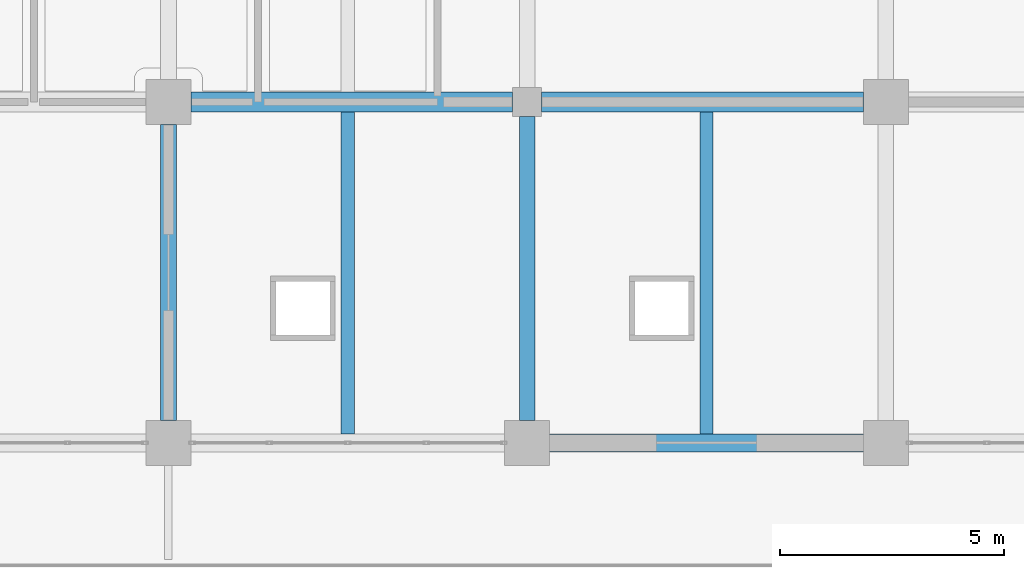
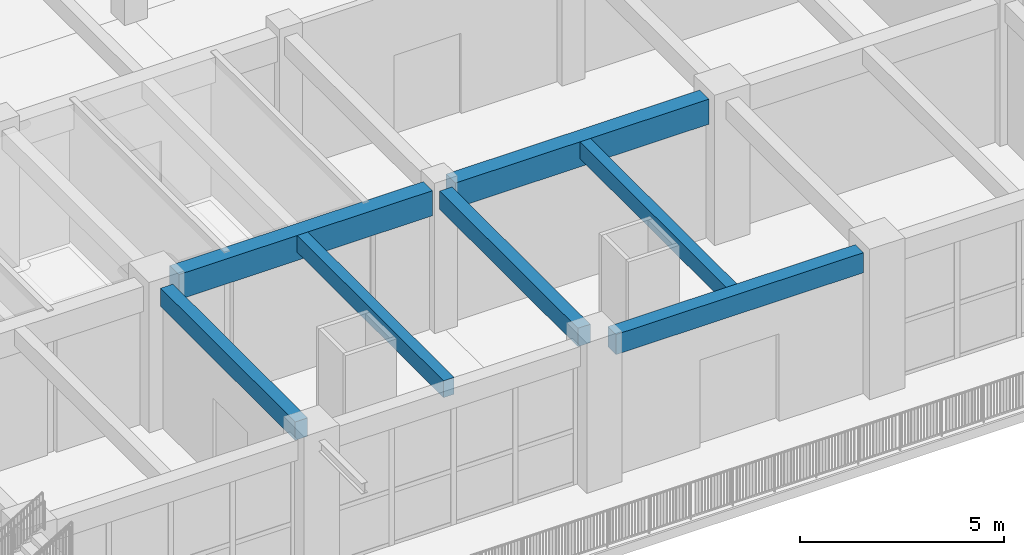
# One storey, part 23 of 79: 7 beams.
"""IFC4 building model written with IfcOpenShell, lengths in metres."""

from ifc_helpers import new_model, si_unit, direction, frame, origin, origin_2d, place, context, subcontext, project, spatial, rectangle, extrude, material, material_profile, profile_set, type_object, element, save


model = new_model("IFC4")

# Units and contexts
model_context = context("Model", 3, precision=1e-05, world=origin(), true_north=direction((0.0, 1.0)))
body_context = subcontext(model_context, "Body", "Model", "MODEL_VIEW")
ifc_project = project(units=[si_unit("LENGTHUNIT", "METRE"), si_unit("AREAUNIT", "SQUARE_METRE"), si_unit("VOLUMEUNIT", "CUBIC_METRE"), si_unit("PLANEANGLEUNIT", "RADIAN"), si_unit("MASSUNIT", "GRAM", prefix="KILO")], contexts=[model_context])

# Site, building, storey
site_placement = place(None, origin())
site = spatial("IfcSite", under=ifc_project, at=site_placement, CompositionType="ELEMENT")
building_placement = place(site_placement, origin())
building = spatial("IfcBuilding", under=site, at=building_placement, Name="Zantavel Square City Hall", CompositionType="ELEMENT")
storey_placement = place(building_placement, frame((0.0, 0.0, 10.199951171875)))
storey = spatial("IfcBuildingStorey", under=building, at=storey_placement, Name="L03", CompositionType="ELEMENT", Elevation=10.199951171875)

# Beams
ifc_material = material(Name="Concrete C35/45", Category="concrete")
ifc_material_profile_1 = material_profile(ifc_material, rectangle(XDim=0.300048828125, YDim=0.5, at=origin_2d()), Name="RC 300x500")
ifc_profile_set_1 = profile_set([ifc_material_profile_1], Name="Concrete C35/45")
beam_type_1 = type_object("IfcBeamType", Name="Floor Joist RC 300x500 C35/45", PredefinedType="JOIST", material=ifc_profile_set_1)
for number, where, z_axis, x_axis, name in (
    (1, (76.0, 30.60009765625, 3.969970703125), (0.0, 1.0, 0.0), (-1.0, 0.0, 0.0), "L03 Floor Joist JST-L03-0760-0304"),
    (2, (84.0, 30.60009765625, 3.969970703125), (0.0, 1.0, 0.0), (-1.0, 0.0, 0.0), "L03 Floor Joist JST-L03-0840-0304"),
):
    element("IfcBeam", number, at=place(storey_placement, frame(where, z_axis=z_axis, x_axis=x_axis)), inside=storey, type_object=beam_type_1, Name=name, PredefinedType="JOIST", context=body_context, shape_type="SweptSolid", body=[
        extrude(rectangle(XDim=0.300048828125, YDim=0.5, at=origin_2d()), origin(), (0.0, 0.0, 1.0), 7.1748046875),
    ])
ifc_material_profile_2 = material_profile(ifc_material, rectangle(XDim=0.39990234375, YDim=0.60009765625, at=origin_2d()), Name="RC 400x600")
ifc_profile_set_2 = profile_set([ifc_material_profile_2], Name="Concrete C35/45")
beam_type_2 = type_object("IfcBeamType", Name="Perimeter Spandrel RC 400x600 C35/45", PredefinedType="SPANDREL", material=ifc_profile_set_2)
beam_1_placement = place(storey_placement, frame((80.5, 30.39990234375, 3.920166015625), z_axis=(1.0, 0.0, 0.0), x_axis=(0.0, 1.0, 0.0)))
element("IfcBeam", 3, at=beam_1_placement, inside=storey, type_object=beam_type_2, Name="L03 Girder BMX-L03-0800-0304", PredefinedType="SPANDREL", context=body_context, shape_type="SweptSolid", body=[
    extrude(rectangle(XDim=0.39990234375, YDim=0.60009765625, at=origin_2d()), origin(), (0.0, 0.0, 1.0), 7.0),
])
ifc_material_profile_3 = material_profile(ifc_material, rectangle(XDim=0.449951171875, YDim=0.75, at=origin_2d()), Name="RC 450x750")
ifc_profile_set_3 = profile_set([ifc_material_profile_3], Name="Concrete C35/45")
beam_type_3 = type_object("IfcBeamType", Name="Primary Girder RC 450x750 C35/45", PredefinedType="BEAM", material=ifc_profile_set_3)
for number, where, z_axis, x_axis, name in (
    (4, (72.5, 38.0, 3.844970703125), (1.0, 0.0, 0.0), (0.0, 1.0, 0.0), "L03 Girder BMX-L03-0720-0380"),
    (5, (80.324951171875, 38.0, 3.844970703125), (1.0, 0.0, 0.0), (0.0, 1.0, 0.0), "L03 Girder BMX-L03-0800-0380"),
):
    element("IfcBeam", number, at=place(storey_placement, frame(where, z_axis=z_axis, x_axis=x_axis)), inside=storey, type_object=beam_type_3, Name=name, PredefinedType="BEAM", context=body_context, shape_type="SweptSolid", body=[
        extrude(rectangle(XDim=0.449951171875, YDim=0.75, at=origin_2d()), origin(), (0.0, 0.0, 1.0), 7.175048828125),
    ])
ifc_material_profile_4 = material_profile(ifc_material, rectangle(XDim=0.35009765625, YDim=0.550048828125, at=origin_2d()), Name="RC 350x550")
ifc_profile_set_4 = profile_set([ifc_material_profile_4], Name="Concrete C35/45")
beam_type_4 = type_object("IfcBeamType", Name="Secondary Beam RC 350x550 C35/45", PredefinedType="BEAM", material=ifc_profile_set_4)
beam_2_placement = place(storey_placement, frame((72.0, 30.89990234375, 3.945068359375), z_axis=(0.0, 1.0, 0.0), x_axis=(-1.0, 0.0, 0.0)))
element("IfcBeam", 6, at=beam_2_placement, inside=storey, type_object=beam_type_4, Name="L03 Beam BMY-L03-0720-0304", PredefinedType="BEAM", context=body_context, shape_type="SweptSolid", body=[
    extrude(rectangle(XDim=0.35009765625, YDim=0.550048828125, at=origin_2d()), origin(), (0.0, 0.0, 1.0), 6.60009765625),
])
beam_3_placement = place(storey_placement, frame((80.0, 30.89990234375, 3.945068359375), z_axis=(0.0, 1.0, 0.0), x_axis=(-1.0, 0.0, 0.0)))
element("IfcBeam", 7, at=beam_3_placement, inside=storey, type_object=beam_type_4, Name="L03 Beam BMY-L03-0800-0304", PredefinedType="BEAM", context=body_context, shape_type="SweptSolid", body=[
    extrude(rectangle(XDim=0.35009765625, YDim=0.550048828125, at=origin_2d()), origin(), (0.0, 0.0, 1.0), 6.775146484375),
])

save(model, "model.ifc")
